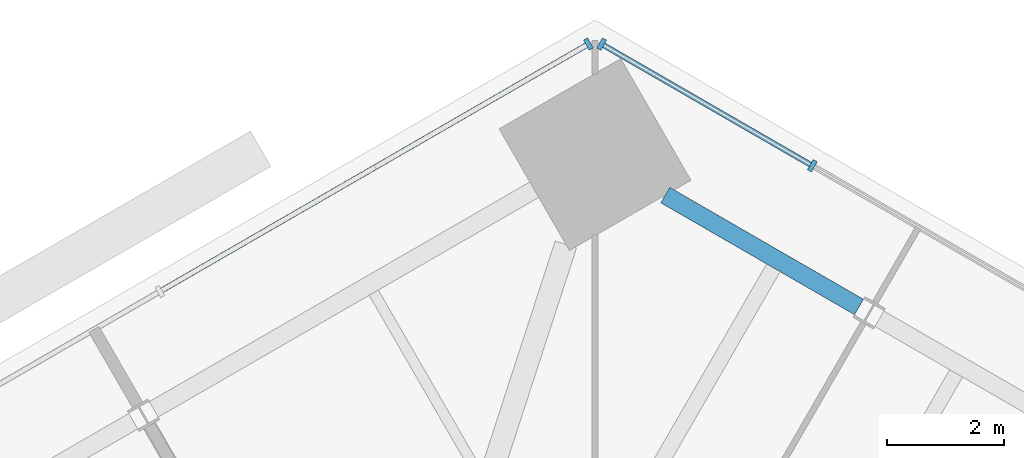
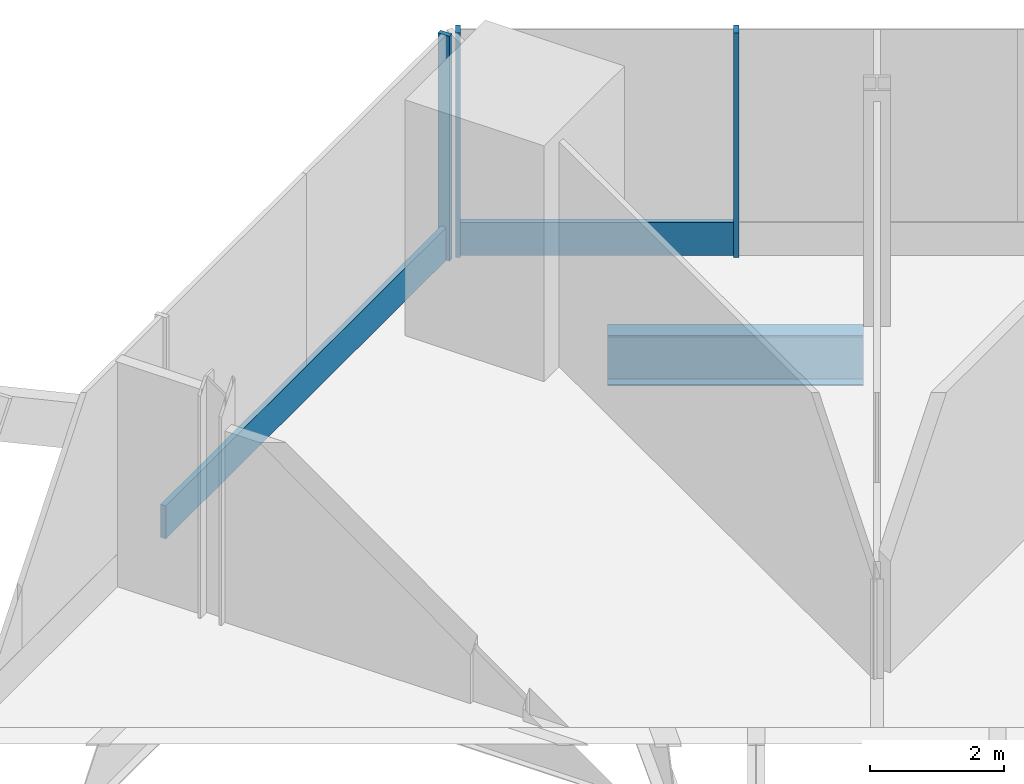
# One storey, part 8 of 16: 5 members, 1 beam, 2 elements without a shape of their own.
"""IFC4 building model written with IfcOpenShell, lengths in metres."""

import ifcopenshell
import ifcopenshell.guid

model = None  # the IFC model being written
_history = None  # IfcOwnerHistory: only IFC2X3 demands one
_inside = {}  # id of a spatial element -> (the spatial element, [elements in it])
_under = {}  # id of a project, library or spatial element -> (it, [spatial elements below it])
_declared = {}  # id of a project -> (the project, [libraries it declares])
_typed = {}  # id of a type object -> (the type object, [elements of that type])
_made_of = {}  # id of a material, layer set ... -> (it, [elements and type objects made of it])


def new_model(schema):
    """Start an empty IFC model of exactly this schema.

    Asked for "IFC4X3", IfcOpenShell would pick the latest addendum, in which some entities
    have other attributes; the version numbers below select the first issue.
    IFC2X3 requires an IfcOwnerHistory on every rooted entity: one is made here for all.
    """
    global model, _history
    if schema == "IFC4X3":
        model = ifcopenshell.file(schema_version=(4, 3, 0, 0))
    else:
        model = ifcopenshell.file(schema=schema)
    _inside.clear()
    _under.clear()
    _declared.clear()
    _typed.clear()
    _made_of.clear()
    _history = None
    if model.schema == "IFC2X3":
        org = make("IfcOrganization", Name="unknown")
        user = make(
            "IfcPersonAndOrganization",
            ThePerson=make("IfcPerson", FamilyName="unknown"),
            TheOrganization=org,
        )
        app = make(
            "IfcApplication",
            ApplicationDeveloper=org,
            Version="unknown",
            ApplicationFullName="unknown",
            ApplicationIdentifier="unknown",
        )
        _history = make(
            "IfcOwnerHistory",
            OwningUser=user,
            OwningApplication=app,
            ChangeAction="ADDED",
            CreationDate=0,
        )
    return model


def make(cls, **values):
    """One entity of the class cls with the attributes given. An attribute that is None is left unset."""
    return model.create_entity(
        cls, **{name: value for name, value in values.items() if value is not None}
    )


def rooted(cls, **values):
    """An entity with a GlobalId (a new one), such as an element, a storey or a relation."""
    return make(cls, GlobalId=ifcopenshell.guid.new(), OwnerHistory=_history, **values)


def si_unit(unit_type, name, prefix=None):
    """IfcSIUnit, for example si_unit("LENGTHUNIT", "METRE", prefix="MILLI")."""
    return make("IfcSIUnit", UnitType=unit_type, Prefix=prefix, Name=name)


def assignment(units):
    """IfcUnitAssignment: the units of a project."""
    return None if units is None else make("IfcUnitAssignment", Units=units)


def point(xyz):
    """IfcCartesianPoint."""
    return None if xyz is None else make("IfcCartesianPoint", Coordinates=xyz)


def direction(xyz):
    """IfcDirection."""
    return None if xyz is None else make("IfcDirection", DirectionRatios=xyz)


def frame(location, z_axis=None, x_axis=None):
    """IfcAxis2Placement3D, a coordinate frame: its origin and axes. An axis left out is left unset."""
    return make(
        "IfcAxis2Placement3D",
        Location=point(location),
        Axis=direction(z_axis),
        RefDirection=direction(x_axis),
    )


def frame_2d(location, x_axis=None):
    """IfcAxis2Placement2D, a coordinate frame in the plane: its origin and x axis."""
    return make(
        "IfcAxis2Placement2D", Location=point(location), RefDirection=direction(x_axis)
    )


def origin():
    """The frame at (0, 0, 0) with its axes left unset."""
    return frame((0.0, 0.0, 0.0))


def origin_2d():
    """The frame at (0, 0) in the plane with its x axis left unset."""
    return frame_2d((0.0, 0.0))


def place(relative_to, where):
    """IfcLocalPlacement: puts the frame where relative to a parent placement (None: the world)."""
    return make(
        "IfcLocalPlacement", PlacementRelTo=relative_to, RelativePlacement=where
    )


def context(
    kind, dimensions, precision=None, world=None, true_north=None, identifier=None
):
    """IfcGeometricRepresentationContext, for example the 3D "Model" context."""
    return make(
        "IfcGeometricRepresentationContext",
        ContextIdentifier=identifier,
        ContextType=kind,
        CoordinateSpaceDimension=dimensions,
        Precision=precision,
        WorldCoordinateSystem=world,
        TrueNorth=true_north,
    )


def subcontext(parent, identifier, kind, view, scale=None):
    """IfcGeometricRepresentationSubContext, for example "Body" below "Model"."""
    return make(
        "IfcGeometricRepresentationSubContext",
        ContextIdentifier=identifier,
        ContextType=kind,
        ParentContext=parent,
        TargetScale=scale,
        TargetView=view,
    )


def project(units=None, contexts=None):
    """IfcProject with its units and contexts."""
    return rooted(
        "IfcProject",
        Name="project",
        RepresentationContexts=contexts,
        UnitsInContext=assignment(units),
    )


def spatial(cls, under=None, at=None, **own):
    """A site, building, storey or space (cls), placed at a placement, below another one or the project."""
    s = rooted(cls, ObjectPlacement=at, **own)
    if under is not None:
        _under.setdefault(under.id(), (under, []))[1].append(s)
    return s


def profile(cls, at=None, kind="AREA", **sizes):
    """A parametric profile (cls). Its sizes go by their IFC names, for example OverallWidth=200.0."""
    return make(cls, ProfileType=kind, Position=at, **sizes)


def rectangle(**sizes):
    """IfcRectangleProfileDef."""
    return profile("IfcRectangleProfileDef", **sizes)


def i_section(**sizes):
    """IfcIShapeProfileDef."""
    return profile("IfcIShapeProfileDef", **sizes)


def extrude(swept, where, along, depth):
    """IfcExtrudedAreaSolid: the profile swept, set in the frame where, extruded along a direction by depth."""
    return make(
        "IfcExtrudedAreaSolid",
        SweptArea=swept,
        Position=where,
        ExtrudedDirection=direction(along),
        Depth=depth,
    )


def shape(context_of_items, identifier, shape_type, items):
    """IfcShapeRepresentation: the items that make up one representation, for example the "Body"."""
    return make(
        "IfcShapeRepresentation",
        ContextOfItems=context_of_items,
        RepresentationIdentifier=identifier,
        RepresentationType=shape_type,
        Items=items,
    )


def source(mapping_origin, context_of_items, identifier, shape_type, items):
    """IfcRepresentationMap: a shape defined once, which mapped items show again and again."""
    return make(
        "IfcRepresentationMap",
        MappingOrigin=mapping_origin,
        MappedRepresentation=shape(context_of_items, identifier, shape_type, items),
    )


def transform(
    local_origin,
    x_axis=None,
    y_axis=None,
    z_axis=None,
    scale=None,
    scale2=None,
    scale3=None,
    uniform=True,
):
    """IfcCartesianTransformationOperator3D, or its non-uniform kind. x_axis, y_axis, z_axis: its Axis1, 2, 3."""
    if uniform:
        return make(
            "IfcCartesianTransformationOperator3D",
            Axis1=direction(x_axis),
            Axis2=direction(y_axis),
            LocalOrigin=point(local_origin),
            Scale=scale,
            Axis3=direction(z_axis),
        )
    return make(
        "IfcCartesianTransformationOperator3DnonUniform",
        Axis1=direction(x_axis),
        Axis2=direction(y_axis),
        LocalOrigin=point(local_origin),
        Scale=scale,
        Axis3=direction(z_axis),
        Scale2=scale2,
        Scale3=scale3,
    )


def mapped(mapping_source, mapping_target):
    """IfcMappedItem: shows the shape of a source again, moved by a transform."""
    return make(
        "IfcMappedItem", MappingSource=mapping_source, MappingTarget=mapping_target
    )


def material(Name=None, Category=None):
    """IfcMaterial."""
    return make("IfcMaterial", Name=Name, Category=Category)


def material_profile(
    of_material, cross_section, Name=None, Category=None, Priority=None
):
    """IfcMaterialProfile: a cross section and its material."""
    return make(
        "IfcMaterialProfile",
        Name=Name,
        Material=of_material,
        Profile=cross_section,
        Priority=Priority,
        Category=Category,
    )


def profile_set(profiles, Name=None, composite=None):
    """IfcMaterialProfileSet."""
    return make(
        "IfcMaterialProfileSet",
        Name=Name,
        MaterialProfiles=profiles,
        CompositeProfile=composite,
    )


def made_of(thing, what):
    """Note that an element or type object is made of a material, layer set ...; save() writes the relation."""
    if what is not None:
        _made_of.setdefault(what.id(), (what, []))[1].append(thing)
    return thing


def type_object(cls, material=None, **own):
    """A type object (cls), such as IfcWallType, which elements share."""
    return made_of(rooted(cls, **own), material)


def element(
    cls,
    number,
    at=None,
    inside=None,
    cuts=None,
    type_object=None,
    material=None,
    context=None,
    identifier="Body",
    shape_type=None,
    held_by="IfcProductDefinitionShape",
    body=None,
    shapes=None,
    **own,
):
    """One element of the class cls, such as IfcWall. Its Tag is "e" and its number.

    at: its placement. inside: the storey or other place that contains it. cuts: it is an
    opening in that element (IfcRelVoidsElement). A single representation is given by context,
    identifier, shape_type and body (its items); several are given by shapes. held_by: the class
    of the entity that holds the representations. save() writes the other relations.
    """
    e = rooted(cls, Tag="e%d" % number, ObjectPlacement=at, **own)
    if body is not None:
        shapes = [shape(context, identifier, shape_type, body)]
    if shapes is not None:
        e.Representation = make(held_by, Representations=shapes)
    if inside is not None:
        _inside.setdefault(inside.id(), (inside, []))[1].append(e)
    if cuts is not None:
        rooted(
            "IfcRelVoidsElement", RelatingBuildingElement=cuts, RelatedOpeningElement=e
        )
    if type_object is not None:
        _typed.setdefault(type_object.id(), (type_object, []))[1].append(e)
    return made_of(e, material)


def aggregate(whole, parts):
    """IfcRelAggregates: a whole, such as a stair, and the parts it consists of."""
    return rooted("IfcRelAggregates", RelatingObject=whole, RelatedObjects=parts)


def save(model, path):
    """Write the relations noted so far, then the file.

    IfcRelAggregates (storeys below a building ...), IfcRelContainedInSpatialStructure (elements
    in a storey), IfcRelDefinesByType, IfcRelAssociatesMaterial and IfcRelDeclares: one each for
    every whole, place, type object, material and project.
    """
    for whole, parts in _under.values():
        aggregate(whole, parts)
    for where, things in _inside.values():
        rooted(
            "IfcRelContainedInSpatialStructure",
            RelatedElements=things,
            RelatingStructure=where,
        )
    for kind, things in _typed.values():
        rooted("IfcRelDefinesByType", RelatedObjects=things, RelatingType=kind)
    for what, things in _made_of.values():
        rooted("IfcRelAssociatesMaterial", RelatedObjects=things, RelatingMaterial=what)
    for by, libraries in _declared.values():
        rooted("IfcRelDeclares", RelatingContext=by, RelatedDefinitions=libraries)
    model.write(path)


model = new_model("IFC4")

# Units and contexts
model_context = context("Model", 3, precision=1e-05, world=origin(), true_north=direction((0.0, 1.0)))
body_context = subcontext(model_context, "Body", "Model", "MODEL_VIEW")
ifc_project = project(units=[si_unit("LENGTHUNIT", "METRE"), si_unit("AREAUNIT", "SQUARE_METRE"), si_unit("VOLUMEUNIT", "CUBIC_METRE"), si_unit("PLANEANGLEUNIT", "RADIAN"), si_unit("MASSUNIT", "GRAM", prefix="KILO")], contexts=[model_context])

# Site, building, storey
site_placement = place(None, origin())
site = spatial("IfcSite", under=ifc_project, at=site_placement, CompositionType="ELEMENT")
building_placement = place(site_placement, origin())
building = spatial("IfcBuilding", under=site, at=building_placement, Name="Triune Harvest Tower", CompositionType="ELEMENT")
storey_placement = place(building_placement, frame((0.0, 0.0, 20.300048828125)))
storey = spatial("IfcBuildingStorey", under=building, at=storey_placement, Name="L04", CompositionType="ELEMENT", Elevation=20.300048828125)

# Beam
ifc_material_1 = material(Name="Steel ASTM A992 Gr 50", Category="steel")
ifc_material_profile_1 = material_profile(ifc_material_1, i_section(OverallWidth=0.3046875, OverallDepth=0.914306640625, WebThickness=0.0166015625, FlangeThickness=0.02587890625, at=origin_2d()), Name="W36x160")
ifc_profile_set_1 = profile_set([ifc_material_profile_1], Name="Steel ASTM A992 Gr 50")
beam_type = type_object("IfcBeamType", Name="SB-1 Spandrel beam W36x160", PredefinedType="SPANDREL", material=ifc_profile_set_1)
shared_shape_1 = source(origin(), body_context, "Body", "SweptSolid", [
    extrude(i_section(OverallWidth=0.3046875, OverallDepth=0.914306640625, WebThickness=0.0166015625, FlangeThickness=0.02587890625, at=origin_2d()), origin(), (0.0, 0.0, 1.0), 3.822509765625),
])
beam_placement = place(storey_placement, frame((16.8193359375, 29.535888671875, -0.6572265625), z_axis=(-0.866005830769, 0.500033899925, 0.0), x_axis=(-0.500033899925, -0.866005830769, 0.0)))
element("IfcBeam", 1, at=beam_placement, inside=storey, type_object=beam_type, Name="beam/L04/SB8", PredefinedType="SPANDREL", context=body_context, shape_type="MappedRepresentation", body=[
    mapped(shared_shape_1, transform((0.0, 0.0, 0.0), scale=1.0)),
])

# Curtain wall, members
ifc_material_2 = material(Name="Aluminium bronze anodised", Category="aluminium")
curtain_wall_type_1 = type_object("IfcCurtainWallType", Name="CW-3 Farm floor curtain wall", PredefinedType="NOTDEFINED", material=ifc_material_2)
curtain_wall_1_placement = place(storey_placement, origin())
curtain_wall_1 = element("IfcCurtainWall", 2, at=curtain_wall_1_placement, inside=storey, type_object=curtain_wall_type_1, Name="CW-3 B1-F2 L04 run 1")
ifc_material_3 = material(Name="Aluminium bronze anodised", Category="aluminium")
ifc_material_profile_2 = material_profile(ifc_material_3, rectangle(XDim=0.090087890625, YDim=0.60009765625, at=origin_2d()), Name="TR-3 transom 90 x 600")
ifc_profile_set_2 = profile_set([ifc_material_profile_2], Name="Aluminium bronze anodised")
member_type_1 = type_object("IfcMemberType", Name="TR-3 transom 90 x 600", PredefinedType="USERDEFINED", material=ifc_profile_set_2)
shared_shape_2 = source(origin(), body_context, "Body", "SweptSolid", [
    extrude(rectangle(XDim=0.090087890625, YDim=0.60009765625, at=origin_2d()), origin(), (0.0, 0.0, 1.0), 4.077880859375),
])
member_1_placement = place(storey_placement, frame((15.98779296875, 31.9697265625, 0.300048828125), z_axis=(-0.866035038465, 0.499983311872, 0.0), x_axis=(-0.499983311872, -0.866035038465, 0.0)))
member_1 = element("IfcMember", 3, at=member_1_placement, type_object=member_type_1, Name="CW-3 transom B1-F2 1.2", ObjectType="TRANSOM", PredefinedType="USERDEFINED", context=body_context, shape_type="MappedRepresentation", body=[
    mapped(shared_shape_2, transform((0.0, 0.0, 0.0), scale=1.0)),
])
ifc_material_4 = material(Name="Aluminium bronze anodised", Category="aluminium")
ifc_material_profile_3 = material_profile(ifc_material_4, rectangle(XDim=0.199951171875, YDim=0.080078125, at=origin_2d()), Name="MU-3 mullion 80 x 200")
ifc_profile_set_3 = profile_set([ifc_material_profile_3], Name="Aluminium bronze anodised")
member_type_2 = type_object("IfcMemberType", Name="MU-3 mullion 80 x 200", PredefinedType="MULLION", material=ifc_profile_set_3)
shared_shape_3 = source(origin(), body_context, "Body", "SweptSolid", [
    extrude(rectangle(XDim=0.199951171875, YDim=0.080078125, at=origin_2d()), origin(), (0.0, 0.0, 1.0), 4.099853515625),
])
member_2_placement = place(storey_placement, frame((16.0224609375, 31.94970703125, 0.0), z_axis=(0.0, 0.0, 1.0), x_axis=(-0.499998715149, -0.866026145592, 0.0)))
member_2 = element("IfcMember", 4, at=member_2_placement, type_object=member_type_2, Name="CW-3 mullion B1-F2 1.3", PredefinedType="MULLION", context=body_context, shape_type="MappedRepresentation", body=[
    mapped(shared_shape_3, transform((0.0, 0.0, 0.0), scale=1.0)),
])
member_3_placement = place(storey_placement, frame((12.421630859375, 34.028564453125, 0.0), z_axis=(0.0, 0.0, 1.0), x_axis=(-0.499998715149, -0.866026145592, 0.0)))
member_3 = element("IfcMember", 5, at=member_3_placement, type_object=member_type_2, Name="CW-3 mullion B1-F2 1.4", PredefinedType="MULLION", context=body_context, shape_type="MappedRepresentation", body=[
    mapped(shared_shape_3, transform((0.0, 0.0, 0.0), scale=1.0)),
])
aggregate(curtain_wall_1, [member_2, member_3, member_1])

ifc_material_5 = material(Name="Aluminium bronze anodised", Category="aluminium")
curtain_wall_type_2 = type_object("IfcCurtainWallType", Name="CW-8 Farm floor curtain wall with insulated spandrel infill", PredefinedType="NOTDEFINED", material=ifc_material_5)
curtain_wall_2_placement = place(storey_placement, origin())
curtain_wall_2 = element("IfcCurtainWall", 6, at=curtain_wall_2_placement, inside=storey, type_object=curtain_wall_type_2, Name="CW-8 B1-F3 L04 run 1")
member_4_placement = place(storey_placement, frame((12.196533203125, 34.028564453125, 0.0), z_axis=(0.0, 0.0, 1.0), x_axis=(0.499998768415, -0.866026114839, 0.0)))
member_4 = element("IfcMember", 7, at=member_4_placement, type_object=member_type_2, Name="CW-8 mullion B1-F3 1.1", PredefinedType="MULLION", context=body_context, shape_type="MappedRepresentation", body=[
    mapped(shared_shape_3, transform((0.0, 0.0, 0.0), scale=1.0)),
])
shared_shape_4 = source(origin(), body_context, "Body", "SweptSolid", [
    extrude(rectangle(XDim=0.090087890625, YDim=0.60009765625, at=origin_2d()), origin(), (0.0, 0.0, 1.0), 8.37744140625),
])
member_5_placement = place(storey_placement, frame((12.161865234375, 34.008544921875, 0.300048828125), z_axis=(-0.866026892193, -0.499997421992, 0.0), x_axis=(0.499997421992, -0.866026892193, 0.0)))
member_5 = element("IfcMember", 8, at=member_5_placement, type_object=member_type_1, Name="CW-8 transom B1-F3 1.1", ObjectType="TRANSOM", PredefinedType="USERDEFINED", context=body_context, shape_type="MappedRepresentation", body=[
    mapped(shared_shape_4, transform((0.0, 0.0, 0.0), scale=1.0)),
])
aggregate(curtain_wall_2, [member_4, member_5])

save(model, "model.ifc")
